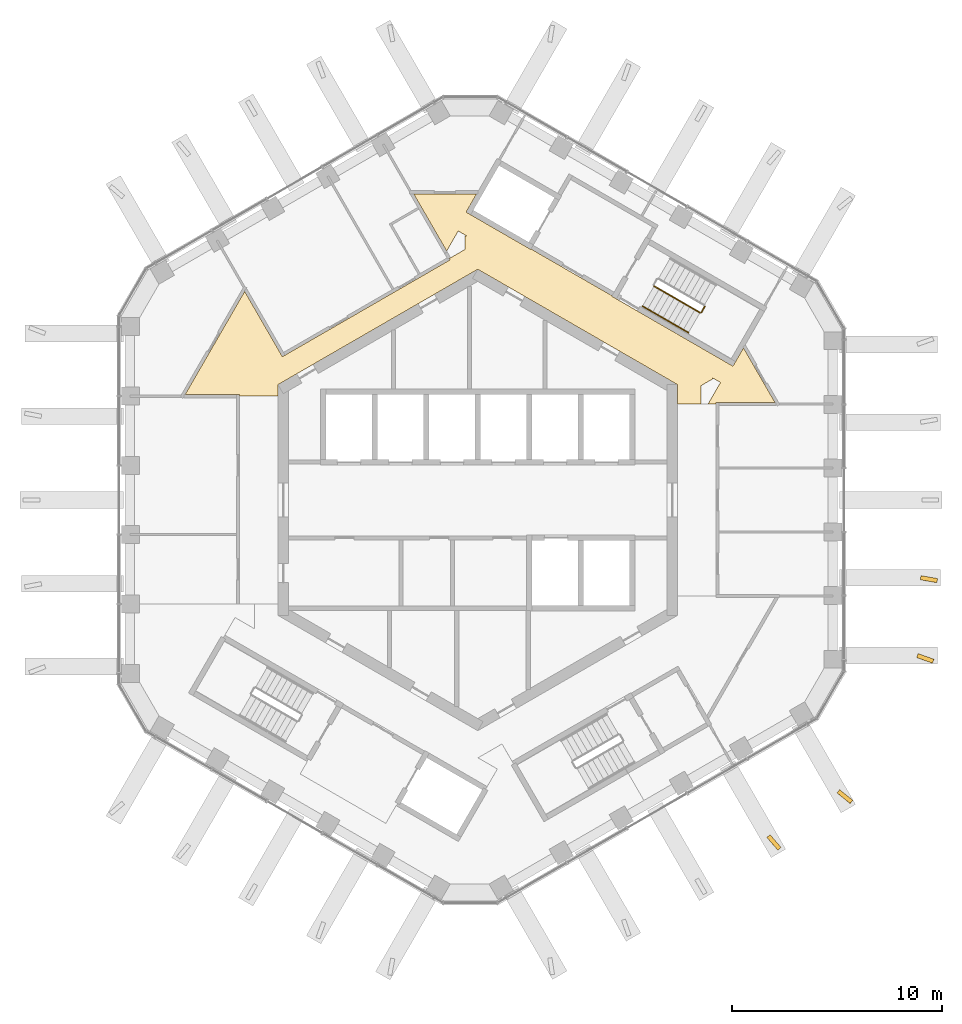
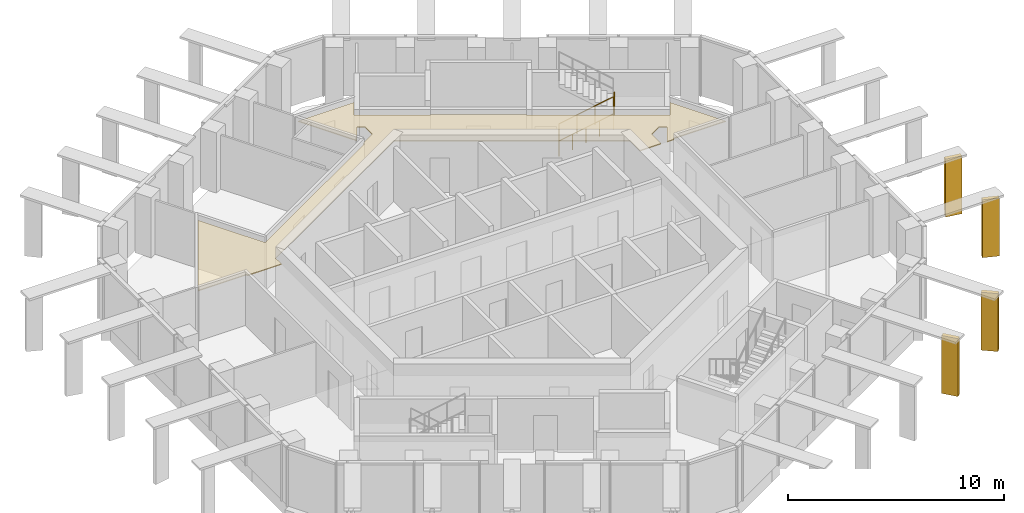
# One storey, part 17 of 18: 4 railings, 4 shading devices, 1 covering.
"""IFC4 building model written with IfcOpenShell, lengths in metres."""

from ifc_helpers import new_model, si_unit, direction, frame, origin, origin_2d, place, context, subcontext, project, spatial, polyline, circle, outline, extrude, material, layer, layer_set, type_object, element, save


model = new_model("IFC4")

# Units and contexts
model_context = context("Model", 3, precision=1e-05, world=origin(), true_north=direction((0.0, 1.0)))
body_context = subcontext(model_context, "Body", "Model", "MODEL_VIEW")
ifc_project = project(units=[si_unit("LENGTHUNIT", "METRE"), si_unit("AREAUNIT", "SQUARE_METRE"), si_unit("VOLUMEUNIT", "CUBIC_METRE"), si_unit("PLANEANGLEUNIT", "RADIAN"), si_unit("MASSUNIT", "GRAM", prefix="KILO")], contexts=[model_context])

# Site, building, storey
site_placement = place(None, origin())
site = spatial("IfcSite", under=ifc_project, at=site_placement, CompositionType="ELEMENT")
building_placement = place(site_placement, origin())
building = spatial("IfcBuilding", under=site, at=building_placement, Name="Ayvan Gate Tower", CompositionType="ELEMENT")
storey_placement = place(building_placement, frame((0.0, 0.0, 239.300048828125)))
storey = spatial("IfcBuildingStorey", under=building, at=storey_placement, Name="L64", CompositionType="ELEMENT", Elevation=239.300048828125)

# Covering
ifc_material_1 = material(Name="Plasterboard suspended ceiling")
ifc_layer_1 = layer(ifc_material_1, 0.050048828125)
ifc_layer_set_1 = layer_set([ifc_layer_1], Name="Plasterboard suspended ceiling")
covering_type = type_object("IfcCoveringType", Name="CT-SUSP-50", PredefinedType="CEILING", material=ifc_layer_set_1)
covering_placement = place(storey_placement, frame((0.0, 0.0, 2.699951171875)))
element("IfcCovering", 1, at=covering_placement, inside=storey, type_object=covering_type, Name="Ceiling Gallery L64", PredefinedType="CEILING", context=body_context, shape_type="SweptSolid", body=[
    extrude(outline(polyline([(-9.16015625, 6.8876953125), (-9.16015625, 6.8876953125), (-1.31982421875, 11.414306640625), (-1.357421875, 11.479248046875), (-0.60009765625, 11.91650390625), (-0.60009765625, 12.56298828125), (-0.53955078125, 12.56298828125), (-0.930419921875, 12.78857421875), (-1.478515625, 11.839111328125), (-3.046875, 14.555419921875), (-0.0546875, 14.555419921875), (-0.55615234375, 13.686767578125), (-0.339599609375, 13.561767578125), (2.518310546875, 11.91162109375), (2.53076171875, 11.933349609375), (6.384521484375, 9.70849609375), (6.3720703125, 9.686767578125), (6.588623046875, 9.561767578125), (12.131103515625, 6.36181640625), (12.24609375, 6.56103515625), (12.632568359375, 7.230224609375), (14.128662109375, 4.63916015625), (11.324951171875, 4.63916015625), (11.324951171875, 4.564208984375), (10.948974609375, 4.564208984375), (11.540283203125, 5.58837890625), (11.149658203125, 5.814208984375), (11.1796875, 5.76171875), (10.6201171875, 5.438720703125), (10.6201171875, 4.564208984375), (9.5, 4.564208984375), (9.5, 5.48486328125), (4.66748046875, 8.27490234375), (0.0, 10.9697265625), (-4.667724609375, 8.27490234375), (-8.70263671875, 5.9453125), (-9.5, 5.48486328125), (-9.5, 4.93408203125), (-11.324951171875, 4.93408203125), (-11.324951171875, 5.009033203125), (-13.9150390625, 5.009033203125), (-11.081787109375, 9.916259765625), (-9.2900390625, 6.812744140625), (-9.16015625, 6.8876953125)])), origin(), (0.0, 0.0, 1.0), 0.050048828125),
])

# Shading devices
ifc_material_2 = material(Name="Bronze anodised aluminium", Category="aluminium")
ifc_layer_2 = layer(ifc_material_2, 0.199951171875)
ifc_layer_set_2 = layer_set([ifc_layer_2], Name="Bronze anodised aluminium")
shading_device_type = type_object("IfcShadingDeviceType", Name="Crown frame rib 800 x 200", PredefinedType="USERDEFINED", material=ifc_layer_set_2)
shading_device_1_placement = place(storey_placement, frame((13.745361328125, -16.045166015625, 0.0), z_axis=(-0.756232494313, -0.654302852223, 0.000438312294), x_axis=(0.654302915074, -0.756232566956, 0.0)))
element("IfcShadingDevice", 2, at=shading_device_1_placement, inside=storey, type_object=shading_device_type, Name="CROWN FRAME rib FR02.6.4", ObjectType="FIN", PredefinedType="USERDEFINED", context=body_context, shape_type="SweptSolid", body=[
    extrude(outline(polyline([(0.0, 0.0), (0.7999926149504255, 2.710505431213761e-20), (0.7983309711265469, 3.2800296119508334), (-0.0016616438238784704, 3.2800296119508334), (0.0, 0.0)])), origin(), (0.0, 0.0, -1.0), 0.199951171875),
])
shading_device_2_placement = place(storey_placement, frame((17.080810546875, -13.930419921875, 0.0), z_axis=(-0.628447153241, -0.77785214669, 0.000462032273), x_axis=(0.777852229728, -0.628447220303, 4.4307e-08)))
element("IfcShadingDevice", 3, at=shading_device_2_placement, inside=storey, type_object=shading_device_type, Name="CROWN FRAME rib FR02.6.5", ObjectType="FIN", PredefinedType="USERDEFINED", context=body_context, shape_type="SweptSolid", body=[
    extrude(outline(polyline([(0.0, 0.0), (0.7999800195755731, 2.710505431213761e-20), (0.7978761539436986, 3.2800296116237795), (-0.0019139603023510055, 3.2800296825047446), (0.0, 0.0)])), origin(), (0.0, 0.0, -1.0), 0.199951171875),
])
shading_device_3_placement = place(storey_placement, frame((20.866943359375, -7.493408203125, 0.0), z_axis=(-0.333705876117, -0.942677138843, 0.000447377776), x_axis=(0.942677233171, -0.333705909539, -6.4347e-08)))
element("IfcShadingDevice", 4, at=shading_device_3_placement, inside=storey, type_object=shading_device_type, Name="CROWN FRAME rib FR02.1.1", ObjectType="FIN", PredefinedType="USERDEFINED", context=body_context, shape_type="SweptSolid", body=[
    extrude(outline(polyline([(0.0, 0.0), (0.8000498628663522, -1.3552527156068805e-20), (0.7979355364281292, 3.2800296764638714), (-0.0020328552689017607, 3.2800295735069933), (0.0, 0.0)])), origin(), (0.0, 0.0, -1.0), 0.199951171875),
])
shading_device_4_placement = place(storey_placement, frame((21.039306640625, -3.794677734375, 0.0), z_axis=(-0.17287996612, -0.984942790204, 0.000466196587), x_axis=(0.984942897244, -0.172879984868, 8.2352e-08)))
element("IfcShadingDevice", 5, at=shading_device_4_placement, inside=storey, type_object=shading_device_type, Name="CROWN FRAME rib FR02.1.2", ObjectType="FIN", PredefinedType="USERDEFINED", context=body_context, shape_type="SweptSolid", body=[
    extrude(outline(polyline([(0.0, 0.0), (0.8001088241552612, 0.0), (0.7981303930564518, 3.2800295875872947), (-0.0017801735518425648, 3.280029719351504), (0.0, 0.0)])), origin(), (0.0, 0.0, -1.0), 0.199951171875),
])

# Railings
ifc_material_3 = material(Name="Stainless steel balustrade", Category="steel")
railing_type_1 = type_object("IfcRailingType", Name="RL-GUARD-1100", PredefinedType="GUARDRAIL", material=ifc_material_3)
railing_1_placement = place(storey_placement, frame((8.381103515625, 10.16650390625, 0.169921875)))
element("IfcRailing", 6, at=railing_1_placement, inside=storey, type_object=railing_type_1, Name="L64 STS1 stair guard 1", PredefinedType="GUARDRAIL", context=body_context, shape_type="SweptSolid", body=[
    extrude(circle(Radius=0.02392578125, at=origin_2d()), frame((0.0, 0.0, 1.076171875), z_axis=(0.740261155115, -0.427395438142, 0.518986090067), x_axis=(0.500004791531, 0.866022637375, 0.0)), (0.0, 0.0, 1.0), 2.947998046875),
    extrude(circle(Radius=0.02099609375, at=origin_2d()), origin(), (0.0, 0.0, 1.0), 1.052001953125),
    extrude(circle(Radius=0.02099609375, at=origin_2d()), frame((0.7275390625, -0.419921875, 0.510009765625)), (0.0, 0.0, 1.0), 1.052001953125),
    extrude(circle(Radius=0.02099609375, at=origin_2d()), frame((1.454833984375, -0.840087890625, 1.02001953125)), (0.0, 0.0, 1.0), 1.052001953125),
    extrude(circle(Radius=0.02099609375, at=origin_2d()), frame((2.182373046875, -1.260009765625, 1.530029296875)), (0.0, 0.0, 1.0), 1.052001953125),
])
railing_2_placement = place(storey_placement, frame((10.6318359375, 8.9248046875, 1.699951171875)))
element("IfcRailing", 7, at=railing_2_placement, inside=storey, type_object=railing_type_1, Name="L64 STS1 stair guard 2", PredefinedType="GUARDRAIL", context=body_context, shape_type="SweptSolid", body=[
    extrude(circle(Radius=0.02392578125, at=origin_2d()), frame((0.0, 0.0, 1.076171875), z_axis=(0.499949632511, 0.866054481515, 0.0), x_axis=(-0.866054481515, 0.499949632511, 0.0)), (0.0, 0.0, 1.0), 0.31005859375),
    extrude(circle(Radius=0.02099609375, at=origin_2d()), origin(), (0.0, 0.0, 1.0), 1.052001953125),
    extrude(circle(Radius=0.02099609375, at=origin_2d()), frame((0.155029296875, 0.2685546875, 0.0)), (0.0, 0.0, 1.0), 1.052001953125),
])
railing_type_2 = type_object("IfcRailingType", Name="RL-HANDRAIL-900", PredefinedType="HANDRAIL", material=ifc_material_3)
railing_3_placement = place(storey_placement, frame((7.8310546875, 9.2138671875, 0.169921875)))
element("IfcRailing", 8, at=railing_3_placement, inside=storey, type_object=railing_type_2, Name="L64 STS1 stair handrail 1", PredefinedType="HANDRAIL", context=body_context, shape_type="SweptSolid", body=[
    extrude(circle(Radius=0.02392578125, at=origin_2d()), frame((0.0, 0.0, 0.8759765625), z_axis=(0.740292964666, -0.42728318766, 0.519033143459), x_axis=(0.499890179513, 0.866088799389, 0.0)), (0.0, 0.0, 1.0), 1.47412109375),
    extrude(circle(Radius=0.02099609375, at=origin_2d()), origin(), (0.0, 0.0, 1.0), 0.851806640625),
    extrude(circle(Radius=0.02099609375, at=origin_2d()), frame((0.545654296875, -0.31494140625, 0.382568359375)), (0.0, 0.0, 1.0), 0.851806640625),
    extrude(circle(Radius=0.02099609375, at=origin_2d()), frame((1.09130859375, -0.6298828125, 0.76513671875)), (0.0, 0.0, 1.0), 0.851806640625),
])
railing_4_placement = place(storey_placement, frame((8.92236328125, 8.583984375, 0.93505859375)))
element("IfcRailing", 9, at=railing_4_placement, inside=storey, type_object=railing_type_2, Name="L64 STS1 stair handrail 2", PredefinedType="HANDRAIL", context=body_context, shape_type="SweptSolid", body=[
    extrude(circle(Radius=0.02392578125, at=origin_2d()), frame((0.0, 0.0, 0.8759765625), z_axis=(0.740229329464, -0.427507697325, 0.518939021976), x_axis=(0.50011940292, 0.865956455501, 0.0)), (0.0, 0.0, 1.0), 1.473876953125),
    extrude(circle(Radius=0.02099609375, at=origin_2d()), origin(), (0.0, 0.0, 1.0), 0.851806640625),
    extrude(circle(Radius=0.02099609375, at=origin_2d()), frame((0.54541015625, -0.31494140625, 0.38232421875)), (0.0, 0.0, 1.0), 0.851806640625),
    extrude(circle(Radius=0.02099609375, at=origin_2d()), frame((1.091064453125, -0.630126953125, 0.764892578125)), (0.0, 0.0, 1.0), 0.851806640625),
])

save(model, "model.ifc")
